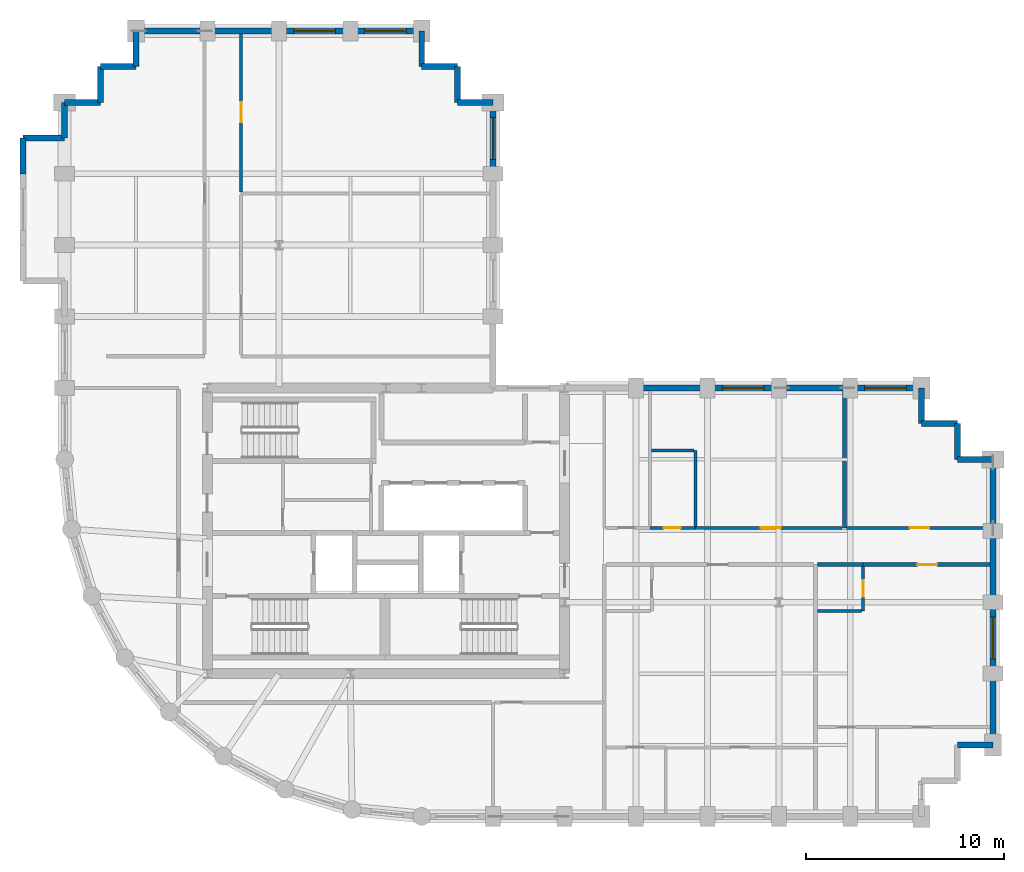
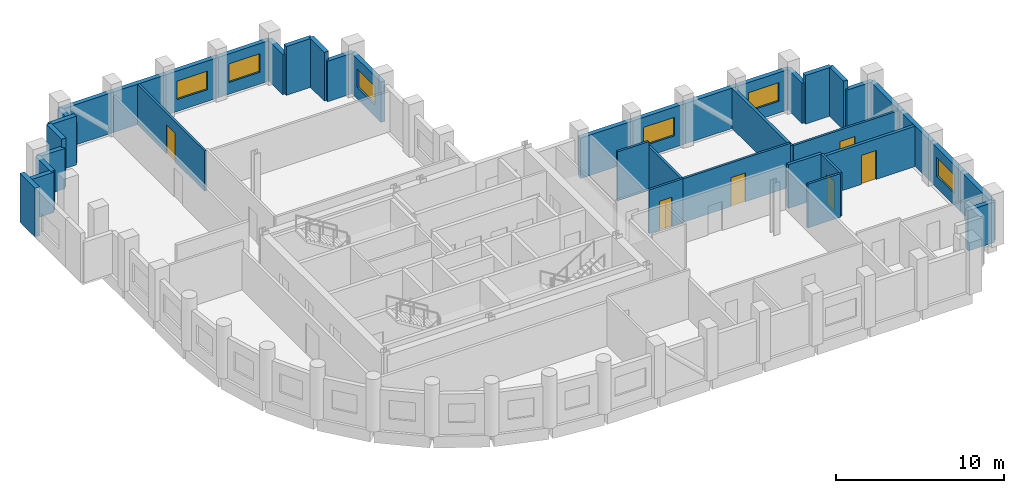
# One storey, part 6 of 8: 40 walls, 6 doors, 6 windows, 12 openings.
"""IFC4 building model written with IfcOpenShell, lengths in metres."""

from ifc_helpers import new_model, si_unit, direction, frame, frame_2d, origin, place, context, subcontext, project, spatial, rectangle, extrude, material, layer, layer_set, type_object, element, fill, save


model = new_model("IFC4")

# Units and contexts
model_context = context("Model", 3, precision=1e-05, world=origin(), true_north=direction((0.0, 1.0)))
body_context = subcontext(model_context, "Body", "Model", "MODEL_VIEW")
ifc_project = project(units=[si_unit("LENGTHUNIT", "METRE"), si_unit("AREAUNIT", "SQUARE_METRE"), si_unit("VOLUMEUNIT", "CUBIC_METRE"), si_unit("PLANEANGLEUNIT", "RADIAN"), si_unit("MASSUNIT", "GRAM", prefix="KILO")], contexts=[model_context])

# Site, building, storey
site_placement = place(None, origin())
site = spatial("IfcSite", under=ifc_project, at=site_placement, CompositionType="ELEMENT")
building_placement = place(site_placement, origin())
building = spatial("IfcBuilding", under=site, at=building_placement, Name="Solnavia Interchange Tower", CompositionType="ELEMENT")
storey_placement = place(building_placement, frame((0.0, 0.0, 161.800048828125)))
storey = spatial("IfcBuildingStorey", under=building, at=storey_placement, Name="L40", CompositionType="ELEMENT", Elevation=161.800048828125)

# Wall
ifc_material_1 = material(Name="Gypsum Acoustic Twin-Stud & Mineral Wool", Category="gypsum")
ifc_layer_1 = layer(ifc_material_1, 0.199951171875)
ifc_layer_set_1 = layer_set([ifc_layer_1], Name="Gypsum Acoustic Twin-Stud & Mineral Wool")
wall_type_1 = type_object("IfcWallType", Name="Wall-ApartmentParty-200", PredefinedType="PARTITIONING", material=ifc_layer_set_1)
wall_1_placement = place(storey_placement, frame((45.154052734375, 16.300048828125, 0.0), z_axis=(0.0, 0.0, 1.0), x_axis=(1.0, 0.0, 0.0)))
element("IfcWall", 1, at=wall_1_placement, inside=storey, type_object=wall_type_1, Name="PTW-L40-21 Interior partition wall", PredefinedType="PARTITIONING", context=body_context, shape_type="SweptSolid", body=[
    extrude(rectangle(XDim=2.2958984375, YDim=0.199951171875, at=frame_2d((1.14794921875, 0.0))), origin(), (0.0, 0.0, 1.0), 3.169921875),
])

# Wall, opening, door
wall_2_placement = place(storey_placement, frame((47.449951171875, 16.300048828125, 0.0), z_axis=(0.0, 0.0, 1.0), x_axis=(1.0, 0.0, 0.0)))
wall_2 = element("IfcWall", 2, at=wall_2_placement, inside=storey, type_object=wall_type_1, Name="PTW-L40-24 Interior partition wall", PredefinedType="PARTITIONING", context=body_context, shape_type="SweptSolid", body=[
    extrude(rectangle(XDim=6.39599609375, YDim=0.199951171875, at=frame_2d((3.197998046875, 0.0))), origin(), (0.0, 0.0, 1.0), 2.929931640625),
])
opening_1_placement = place(wall_2_placement, frame((2.735107421875, 0.0, 0.0)))
opening_1 = element("IfcOpeningElement", 3, at=opening_1_placement, cuts=wall_2, Name="Opening DR-06", PredefinedType="OPENING", context=body_context, shape_type="SweptSolid", body=[
    extrude(rectangle(XDim=1.0, YDim=2.10009765625, at=frame_2d((0.5, 1.050048828125))), frame((0.0, 0.10986328125, 0.0), z_axis=(0.0, -1.0, 0.0), x_axis=(1.0, 0.0, 0.0)), (0.0, 0.0, 1.0), 0.219970703125),
])
ifc_material_2 = material(Name="Engineered Timber Acoustic Fire Door", Category="wood")
door_type_1 = type_object("IfcDoorType", Name="Door-FlatEntry-1000x2100", OperationType="SINGLE_SWING_LEFT", PredefinedType="DOOR", material=ifc_material_2)
door_1_placement = place(opening_1_placement, origin())
door_1 = element("IfcDoor", 4, at=door_1_placement, inside=storey, type_object=door_type_1, Name="DR-L40-10 Interior room door", OperationType="SINGLE_SWING_LEFT", OverallHeight=2.10009765625, OverallWidth=1.0, PredefinedType="DOOR", context=body_context, shape_type="SweptSolid", body=[
    extrude(rectangle(XDim=1.0, YDim=2.10009765625, at=frame_2d((0.5, 1.050048828125))), frame((0.0, 0.02490234375, 0.0), z_axis=(0.0, -1.0, 0.0), x_axis=(1.0, 0.0, 0.0)), (0.0, 0.0, 1.0), 0.050048828125),
])
fill(opening_1, door_1)

# Walls
wall_3_placement = place(storey_placement, frame((46.5, 18.14990234375, 0.0), z_axis=(0.0, 0.0, 1.0), x_axis=(0.0, 1.0, 0.0)))
element("IfcWall", 5, at=wall_3_placement, inside=storey, type_object=wall_type_1, Name="PTW-L40-28 Interior partition wall", PredefinedType="PARTITIONING", context=body_context, shape_type="SweptSolid", body=[
    extrude(rectangle(XDim=6.89599609375, YDim=0.199951171875, at=frame_2d((3.447998046875, 0.0))), origin(), (0.0, 0.0, 1.0), 2.929931640625),
])
ifc_material_3 = material(Name="Concrete C40/50", Category="concrete")
ifc_layer_2 = layer(ifc_material_3, 0.300048828125)
ifc_layer_set_2 = layer_set([ifc_layer_2], Name="Concrete C40/50")
wall_type_2 = type_object("IfcWallType", Name="Wall-ExtSpandrel-300", PredefinedType="STANDARD", material=ifc_layer_set_2)
wall_4_placement = place(storey_placement, frame((54.0, 7.199951171875, 0.0), z_axis=(0.0, 0.0, 1.0), x_axis=(-1.0, 0.0, 0.0)))
element("IfcWall", 6, at=wall_4_placement, inside=storey, type_object=wall_type_2, Name="EXW-L40-11 Exterior precast spandrel wall", PredefinedType="STANDARD", context=body_context, shape_type="SweptSolid", body=[
    extrude(rectangle(XDim=1.800048828125, YDim=0.300048828125, at=frame_2d((0.89990234375, 0.0))), origin(), (0.0, 0.0, 1.0), 2.929931640625),
])
wall_5_placement = place(storey_placement, frame((54.0, 10.800048828125, 0.0), z_axis=(0.0, 0.0, 1.0), x_axis=(0.0, -1.0, 0.0)))
element("IfcWall", 7, at=wall_5_placement, inside=storey, type_object=wall_type_2, Name="EXW-L40-12 Exterior precast spandrel wall", PredefinedType="STANDARD", context=body_context, shape_type="SweptSolid", body=[
    extrude(rectangle(XDim=3.60009765625, YDim=0.300048828125, at=frame_2d((1.800048828125, 0.0))), origin(), (0.0, 0.0, 1.0), 2.929931640625),
])

# Wall, opening, window
wall_6_placement = place(storey_placement, frame((54.0, 14.39990234375, 0.0), z_axis=(0.0, 0.0, 1.0), x_axis=(0.0, -1.0, 0.0)))
wall_6 = element("IfcWall", 8, at=wall_6_placement, inside=storey, type_object=wall_type_2, Name="EXW-L40-13 Exterior precast spandrel wall", PredefinedType="STANDARD", context=body_context, shape_type="SweptSolid", body=[
    extrude(rectangle(XDim=3.599853515625, YDim=0.300048828125, at=frame_2d((1.7998046875, 0.0))), origin(), (0.0, 0.0, 1.0), 2.929931640625),
])
opening_2_placement = place(wall_6_placement, frame((0.75, 0.0, 0.85009765625)))
opening_2 = element("IfcOpeningElement", 9, at=opening_2_placement, cuts=wall_6, Name="Opening WIN-01", PredefinedType="OPENING", context=body_context, shape_type="SweptSolid", body=[
    extrude(rectangle(XDim=2.10009765625, YDim=1.35009765625, at=frame_2d((1.050048828125, 0.675048828125))), frame((0.0, 0.16015625, 0.0), z_axis=(0.0, -1.0, 0.0), x_axis=(1.0, 0.0, 0.0)), (0.0, 0.0, 1.0), 0.320068359375),
])
ifc_material_4 = material(Name="Thermal-Break Aluminium & Low-E Glass", Category="aluminium")
window_type = type_object("IfcWindowType", Name="Window-Ribbon-2100x1350", PartitioningType="SINGLE_PANEL", PredefinedType="WINDOW", material=ifc_material_4)
window_1_placement = place(opening_2_placement, origin())
window_1 = element("IfcWindow", 10, at=window_1_placement, inside=storey, type_object=window_type, Name="WIN-L40-13 Facade ribbon window", OverallHeight=1.35009765625, OverallWidth=2.10009765625, PartitioningType="SINGLE_PANEL", PredefinedType="WINDOW", context=body_context, shape_type="SweptSolid", body=[
    extrude(rectangle(XDim=2.10009765625, YDim=1.35009765625, at=frame_2d((1.050048828125, 0.675048828125))), frame((0.0, 0.030029296875, 0.0), z_axis=(0.0, -1.0, 0.0), x_axis=(1.0, 0.0, 0.0)), (0.0, 0.0, 1.0), 0.06005859375),
])
fill(opening_2, window_1)

# Walls
for number, where, z_axis, x_axis, name in (
    (11, (54.0, 18.0, 0.0), (0.0, 0.0, 1.0), (0.0, -1.0, 0.0), "EXW-L40-14 Exterior precast spandrel wall"),
    (12, (54.0, 21.60009765625, 0.0), (0.0, 0.0, 1.0), (0.0, -1.0, 0.0), "EXW-L40-15 Exterior precast spandrel wall"),
):
    element("IfcWall", number, at=place(storey_placement, frame(where, z_axis=z_axis, x_axis=x_axis)), inside=storey, type_object=wall_type_2, Name=name, PredefinedType="STANDARD", context=body_context, shape_type="SweptSolid", body=[
        extrude(rectangle(XDim=3.60009765625, YDim=0.300048828125, at=frame_2d((1.800048828125, 0.0))), origin(), (0.0, 0.0, 1.0), 2.929931640625),
    ])
wall_7_placement = place(storey_placement, frame((52.199951171875, 21.60009765625, 0.0), z_axis=(0.0, 0.0, 1.0), x_axis=(1.0, 0.0, 0.0)))
element("IfcWall", 13, at=wall_7_placement, inside=storey, type_object=wall_type_2, Name="EXW-L40-16 Exterior precast spandrel wall", PredefinedType="STANDARD", context=body_context, shape_type="SweptSolid", body=[
    extrude(rectangle(XDim=1.800048828125, YDim=0.300048828125, at=frame_2d((0.89990234375, 0.0))), origin(), (0.0, 0.0, 1.0), 2.929931640625),
])
wall_8_placement = place(storey_placement, frame((52.199951171875, 23.39990234375, 0.0), z_axis=(0.0, 0.0, 1.0), x_axis=(0.0, -1.0, 0.0)))
element("IfcWall", 14, at=wall_8_placement, inside=storey, type_object=wall_type_2, Name="EXW-L40-17 Exterior precast spandrel wall", PredefinedType="STANDARD", context=body_context, shape_type="SweptSolid", body=[
    extrude(rectangle(XDim=1.7998046875, YDim=0.300048828125, at=frame_2d((0.89990234375, 0.0))), origin(), (0.0, 0.0, 1.0), 3.534912109375),
])
wall_9_placement = place(storey_placement, frame((50.39990234375, 23.39990234375, 0.0), z_axis=(0.0, 0.0, 1.0), x_axis=(1.0, 0.0, 0.0)))
element("IfcWall", 15, at=wall_9_placement, inside=storey, type_object=wall_type_2, Name="EXW-L40-18 Exterior precast spandrel wall", PredefinedType="STANDARD", context=body_context, shape_type="SweptSolid", body=[
    extrude(rectangle(XDim=1.800048828125, YDim=0.300048828125, at=frame_2d((0.89990234375, 0.0))), origin(), (0.0, 0.0, 1.0), 3.534912109375),
])
wall_10_placement = place(storey_placement, frame((50.39990234375, 25.199951171875, 0.0), z_axis=(0.0, 0.0, 1.0), x_axis=(0.0, -1.0, 0.0)))
element("IfcWall", 16, at=wall_10_placement, inside=storey, type_object=wall_type_2, Name="EXW-L40-19 Exterior precast spandrel wall", PredefinedType="STANDARD", context=body_context, shape_type="SweptSolid", body=[
    extrude(rectangle(XDim=1.800048828125, YDim=0.300048828125, at=frame_2d((0.89990234375, 0.0))), origin(), (0.0, 0.0, 1.0), 2.929931640625),
])

# Wall, opening, window
wall_11_placement = place(storey_placement, frame((46.800048828125, 25.199951171875, 0.0), z_axis=(0.0, 0.0, 1.0), x_axis=(1.0, 0.0, 0.0)))
wall_11 = element("IfcWall", 17, at=wall_11_placement, inside=storey, type_object=wall_type_2, Name="EXW-L40-20 Exterior precast spandrel wall", PredefinedType="STANDARD", context=body_context, shape_type="SweptSolid", body=[
    extrude(rectangle(XDim=3.599853515625, YDim=0.300048828125, at=frame_2d((1.7998046875, 0.0))), origin(), (0.0, 0.0, 1.0), 2.929931640625),
])
opening_3_placement = place(wall_11_placement, frame((0.72509765625, 0.0, 0.85009765625)))
opening_3 = element("IfcOpeningElement", 18, at=opening_3_placement, cuts=wall_11, Name="Opening WIN-01", PredefinedType="OPENING", context=body_context, shape_type="SweptSolid", body=[
    extrude(rectangle(XDim=2.10009765625, YDim=1.35009765625, at=frame_2d((1.050048828125, 0.675048828125))), frame((0.0, 0.16015625, 0.0), z_axis=(0.0, -1.0, 0.0), x_axis=(1.0, 0.0, 0.0)), (0.0, 0.0, 1.0), 0.320068359375),
])
window_2_placement = place(opening_3_placement, origin())
window_2 = element("IfcWindow", 19, at=window_2_placement, inside=storey, type_object=window_type, Name="WIN-L40-20 Facade ribbon window", OverallHeight=1.35009765625, OverallWidth=2.10009765625, PartitioningType="SINGLE_PANEL", PredefinedType="WINDOW", context=body_context, shape_type="SweptSolid", body=[
    extrude(rectangle(XDim=2.10009765625, YDim=1.35009765625, at=frame_2d((1.050048828125, 0.675048828125))), frame((0.0, 0.030029296875, 0.0), z_axis=(0.0, -1.0, 0.0), x_axis=(1.0, 0.0, 0.0)), (0.0, 0.0, 1.0), 0.06005859375),
])
fill(opening_3, window_2)

# Wall
wall_12_placement = place(storey_placement, frame((43.199951171875, 25.199951171875, 0.0), z_axis=(0.0, 0.0, 1.0), x_axis=(1.0, 0.0, 0.0)))
element("IfcWall", 20, at=wall_12_placement, inside=storey, type_object=wall_type_2, Name="EXW-L40-21 Exterior precast spandrel wall", PredefinedType="STANDARD", context=body_context, shape_type="SweptSolid", body=[
    extrude(rectangle(XDim=3.60009765625, YDim=0.300048828125, at=frame_2d((1.800048828125, 0.0))), origin(), (0.0, 0.0, 1.0), 2.929931640625),
])

# Wall, opening, window
wall_13_placement = place(storey_placement, frame((39.60009765625, 25.199951171875, 0.0), z_axis=(0.0, 0.0, 1.0), x_axis=(1.0, 0.0, 0.0)))
wall_13 = element("IfcWall", 21, at=wall_13_placement, inside=storey, type_object=wall_type_2, Name="EXW-L40-22 Exterior precast spandrel wall", PredefinedType="STANDARD", context=body_context, shape_type="SweptSolid", body=[
    extrude(rectangle(XDim=3.599853515625, YDim=0.300048828125, at=frame_2d((1.7998046875, 0.0))), origin(), (0.0, 0.0, 1.0), 2.929931640625),
])
opening_4_placement = place(wall_13_placement, frame((0.75, 0.0, 0.85009765625)))
opening_4 = element("IfcOpeningElement", 22, at=opening_4_placement, cuts=wall_13, Name="Opening WIN-01", PredefinedType="OPENING", context=body_context, shape_type="SweptSolid", body=[
    extrude(rectangle(XDim=2.10009765625, YDim=1.35009765625, at=frame_2d((1.050048828125, 0.675048828125))), frame((0.0, 0.16015625, 0.0), z_axis=(0.0, -1.0, 0.0), x_axis=(1.0, 0.0, 0.0)), (0.0, 0.0, 1.0), 0.320068359375),
])
window_3_placement = place(opening_4_placement, origin())
window_3 = element("IfcWindow", 23, at=window_3_placement, inside=storey, type_object=window_type, Name="WIN-L40-22 Facade ribbon window", OverallHeight=1.35009765625, OverallWidth=2.10009765625, PartitioningType="SINGLE_PANEL", PredefinedType="WINDOW", context=body_context, shape_type="SweptSolid", body=[
    extrude(rectangle(XDim=2.10009765625, YDim=1.35009765625, at=frame_2d((1.050048828125, 0.675048828125))), frame((0.0, 0.030029296875, 0.0), z_axis=(0.0, -1.0, 0.0), x_axis=(1.0, 0.0, 0.0)), (0.0, 0.0, 1.0), 0.06005859375),
])
fill(opening_4, window_3)

# Wall
wall_14_placement = place(storey_placement, frame((36.0, 25.199951171875, 0.0), z_axis=(0.0, 0.0, 1.0), x_axis=(1.0, 0.0, 0.0)))
element("IfcWall", 24, at=wall_14_placement, inside=storey, type_object=wall_type_2, Name="EXW-L40-23 Exterior precast spandrel wall", PredefinedType="STANDARD", context=body_context, shape_type="SweptSolid", body=[
    extrude(rectangle(XDim=3.60009765625, YDim=0.300048828125, at=frame_2d((1.800048828125, 0.0))), origin(), (0.0, 0.0, 1.0), 2.929931640625),
])

# Wall, opening, window
wall_15_placement = place(storey_placement, frame((28.800048828125, 39.60009765625, 0.0), z_axis=(0.0, 0.0, 1.0), x_axis=(0.0, -1.0, 0.0)))
wall_15 = element("IfcWall", 25, at=wall_15_placement, inside=storey, type_object=wall_type_2, Name="EXW-L40-29 Exterior precast spandrel wall", PredefinedType="STANDARD", context=body_context, shape_type="SweptSolid", body=[
    extrude(rectangle(XDim=3.60009765625, YDim=0.300048828125, at=frame_2d((1.800048828125, 0.0))), origin(), (0.0, 0.0, 1.0), 2.929931640625),
])
opening_5_placement = place(wall_15_placement, frame((0.77490234375, 0.0, 0.85009765625)))
opening_5 = element("IfcOpeningElement", 26, at=opening_5_placement, cuts=wall_15, Name="Opening WIN-01", PredefinedType="OPENING", context=body_context, shape_type="SweptSolid", body=[
    extrude(rectangle(XDim=2.10009765625, YDim=1.35009765625, at=frame_2d((1.050048828125, 0.675048828125))), frame((0.0, 0.16015625, 0.0), z_axis=(0.0, -1.0, 0.0), x_axis=(1.0, 0.0, 0.0)), (0.0, 0.0, 1.0), 0.320068359375),
])
window_4_placement = place(opening_5_placement, origin())
window_4 = element("IfcWindow", 27, at=window_4_placement, inside=storey, type_object=window_type, Name="WIN-L40-29 Facade ribbon window", OverallHeight=1.35009765625, OverallWidth=2.10009765625, PartitioningType="SINGLE_PANEL", PredefinedType="WINDOW", context=body_context, shape_type="SweptSolid", body=[
    extrude(rectangle(XDim=2.10009765625, YDim=1.35009765625, at=frame_2d((1.050048828125, 0.675048828125))), frame((0.0, 0.030029296875, 0.0), z_axis=(0.0, -1.0, 0.0), x_axis=(1.0, 0.0, 0.0)), (0.0, 0.0, 1.0), 0.06005859375),
])
fill(opening_5, window_4)

# Walls
wall_16_placement = place(storey_placement, frame((27.0, 39.60009765625, 0.0), z_axis=(0.0, 0.0, 1.0), x_axis=(1.0, 0.0, 0.0)))
element("IfcWall", 28, at=wall_16_placement, inside=storey, type_object=wall_type_2, Name="EXW-L40-30 Exterior precast spandrel wall", PredefinedType="STANDARD", context=body_context, shape_type="SweptSolid", body=[
    extrude(rectangle(XDim=1.800048828125, YDim=0.300048828125, at=frame_2d((0.89990234375, 0.0))), origin(), (0.0, 0.0, 1.0), 2.929931640625),
])
wall_17_placement = place(storey_placement, frame((27.0, 39.60009765625, 0.0), z_axis=(0.0, 0.0, 1.0), x_axis=(0.0, 1.0, 0.0)))
element("IfcWall", 29, at=wall_17_placement, inside=storey, type_object=wall_type_2, Name="EXW-L40-31 Exterior precast spandrel wall", PredefinedType="STANDARD", context=body_context, shape_type="SweptSolid", body=[
    extrude(rectangle(XDim=1.7998046875, YDim=0.300048828125, at=frame_2d((0.89990234375, 0.0))), origin(), (0.0, 0.0, 1.0), 3.534912109375),
])
wall_18_placement = place(storey_placement, frame((25.199951171875, 41.39990234375, 0.0), z_axis=(0.0, 0.0, 1.0), x_axis=(1.0, 0.0, 0.0)))
element("IfcWall", 30, at=wall_18_placement, inside=storey, type_object=wall_type_2, Name="EXW-L40-32 Exterior precast spandrel wall", PredefinedType="STANDARD", context=body_context, shape_type="SweptSolid", body=[
    extrude(rectangle(XDim=1.800048828125, YDim=0.300048828125, at=frame_2d((0.89990234375, 0.0))), origin(), (0.0, 0.0, 1.0), 3.534912109375),
])
wall_19_placement = place(storey_placement, frame((25.199951171875, 41.39990234375, 0.0), z_axis=(0.0, 0.0, 1.0), x_axis=(0.0, 1.0, 0.0)))
element("IfcWall", 31, at=wall_19_placement, inside=storey, type_object=wall_type_2, Name="EXW-L40-33 Exterior precast spandrel wall", PredefinedType="STANDARD", context=body_context, shape_type="SweptSolid", body=[
    extrude(rectangle(XDim=1.800048828125, YDim=0.300048828125, at=frame_2d((0.89990234375, 0.0))), origin(), (0.0, 0.0, 1.0), 2.929931640625),
])

# Wall, opening, window
wall_20_placement = place(storey_placement, frame((21.60009765625, 43.199951171875, 0.0), z_axis=(0.0, 0.0, 1.0), x_axis=(1.0, 0.0, 0.0)))
wall_20 = element("IfcWall", 32, at=wall_20_placement, inside=storey, type_object=wall_type_2, Name="EXW-L40-34 Exterior precast spandrel wall", PredefinedType="STANDARD", context=body_context, shape_type="SweptSolid", body=[
    extrude(rectangle(XDim=3.599853515625, YDim=0.300048828125, at=frame_2d((1.7998046875, 0.0))), origin(), (0.0, 0.0, 1.0), 2.929931640625),
])
opening_6_placement = place(wall_20_placement, frame((0.72509765625, 0.0, 0.85009765625)))
opening_6 = element("IfcOpeningElement", 33, at=opening_6_placement, cuts=wall_20, Name="Opening WIN-01", PredefinedType="OPENING", context=body_context, shape_type="SweptSolid", body=[
    extrude(rectangle(XDim=2.10009765625, YDim=1.35009765625, at=frame_2d((1.050048828125, 0.675048828125))), frame((0.0, 0.16015625, 0.0), z_axis=(0.0, -1.0, 0.0), x_axis=(1.0, 0.0, 0.0)), (0.0, 0.0, 1.0), 0.320068359375),
])
window_5_placement = place(opening_6_placement, origin())
window_5 = element("IfcWindow", 34, at=window_5_placement, inside=storey, type_object=window_type, Name="WIN-L40-34 Facade ribbon window", OverallHeight=1.35009765625, OverallWidth=2.10009765625, PartitioningType="SINGLE_PANEL", PredefinedType="WINDOW", context=body_context, shape_type="SweptSolid", body=[
    extrude(rectangle(XDim=2.10009765625, YDim=1.35009765625, at=frame_2d((1.050048828125, 0.675048828125))), frame((0.0, 0.030029296875, 0.0), z_axis=(0.0, -1.0, 0.0), x_axis=(1.0, 0.0, 0.0)), (0.0, 0.0, 1.0), 0.06005859375),
])
fill(opening_6, window_5)

wall_21_placement = place(storey_placement, frame((18.0, 43.199951171875, 0.0), z_axis=(0.0, 0.0, 1.0), x_axis=(1.0, 0.0, 0.0)))
wall_21 = element("IfcWall", 35, at=wall_21_placement, inside=storey, type_object=wall_type_2, Name="EXW-L40-35 Exterior precast spandrel wall", PredefinedType="STANDARD", context=body_context, shape_type="SweptSolid", body=[
    extrude(rectangle(XDim=3.60009765625, YDim=0.300048828125, at=frame_2d((1.800048828125, 0.0))), origin(), (0.0, 0.0, 1.0), 2.929931640625),
])
opening_7_placement = place(wall_21_placement, frame((0.75, 0.0, 0.85009765625)))
opening_7 = element("IfcOpeningElement", 36, at=opening_7_placement, cuts=wall_21, Name="Opening WIN-01", PredefinedType="OPENING", context=body_context, shape_type="SweptSolid", body=[
    extrude(rectangle(XDim=2.10009765625, YDim=1.35009765625, at=frame_2d((1.050048828125, 0.675048828125))), frame((0.0, 0.16015625, 0.0), z_axis=(0.0, -1.0, 0.0), x_axis=(1.0, 0.0, 0.0)), (0.0, 0.0, 1.0), 0.320068359375),
])
window_6_placement = place(opening_7_placement, origin())
window_6 = element("IfcWindow", 37, at=window_6_placement, inside=storey, type_object=window_type, Name="WIN-L40-35 Facade ribbon window", OverallHeight=1.35009765625, OverallWidth=2.10009765625, PartitioningType="SINGLE_PANEL", PredefinedType="WINDOW", context=body_context, shape_type="SweptSolid", body=[
    extrude(rectangle(XDim=2.10009765625, YDim=1.35009765625, at=frame_2d((1.050048828125, 0.675048828125))), frame((0.0, 0.030029296875, 0.0), z_axis=(0.0, -1.0, 0.0), x_axis=(1.0, 0.0, 0.0)), (0.0, 0.0, 1.0), 0.06005859375),
])
fill(opening_7, window_6)

# Walls
wall_22_placement = place(storey_placement, frame((14.39990234375, 43.199951171875, 0.0), z_axis=(0.0, 0.0, 1.0), x_axis=(1.0, 0.0, 0.0)))
element("IfcWall", 38, at=wall_22_placement, inside=storey, type_object=wall_type_2, Name="EXW-L40-36 Exterior precast spandrel wall", PredefinedType="STANDARD", context=body_context, shape_type="SweptSolid", body=[
    extrude(rectangle(XDim=3.60009765625, YDim=0.300048828125, at=frame_2d((1.800048828125, 0.0))), origin(), (0.0, 0.0, 1.0), 2.929931640625),
])
wall_23_placement = place(storey_placement, frame((10.800048828125, 43.199951171875, 0.0), z_axis=(0.0, 0.0, 1.0), x_axis=(1.0, 0.0, 0.0)))
element("IfcWall", 39, at=wall_23_placement, inside=storey, type_object=wall_type_2, Name="EXW-L40-37 Exterior precast spandrel wall", PredefinedType="STANDARD", context=body_context, shape_type="SweptSolid", body=[
    extrude(rectangle(XDim=3.599853515625, YDim=0.300048828125, at=frame_2d((1.7998046875, 0.0))), origin(), (0.0, 0.0, 1.0), 2.929931640625),
])
wall_24_placement = place(storey_placement, frame((10.800048828125, 41.39990234375, 0.0), z_axis=(0.0, 0.0, 1.0), x_axis=(0.0, 1.0, 0.0)))
element("IfcWall", 40, at=wall_24_placement, inside=storey, type_object=wall_type_2, Name="EXW-L40-38 Exterior precast spandrel wall", PredefinedType="STANDARD", context=body_context, shape_type="SweptSolid", body=[
    extrude(rectangle(XDim=1.800048828125, YDim=0.300048828125, at=frame_2d((0.89990234375, 0.0))), origin(), (0.0, 0.0, 1.0), 2.929931640625),
])
wall_25_placement = place(storey_placement, frame((9.0, 41.39990234375, 0.0), z_axis=(0.0, 0.0, 1.0), x_axis=(1.0, 0.0, 0.0)))
element("IfcWall", 41, at=wall_25_placement, inside=storey, type_object=wall_type_2, Name="EXW-L40-39 Exterior precast spandrel wall", PredefinedType="STANDARD", context=body_context, shape_type="SweptSolid", body=[
    extrude(rectangle(XDim=1.800048828125, YDim=0.300048828125, at=frame_2d((0.89990234375, 0.0))), origin(), (0.0, 0.0, 1.0), 3.534912109375),
])
wall_26_placement = place(storey_placement, frame((9.0, 39.60009765625, 0.0), z_axis=(0.0, 0.0, 1.0), x_axis=(0.0, 1.0, 0.0)))
element("IfcWall", 42, at=wall_26_placement, inside=storey, type_object=wall_type_2, Name="EXW-L40-40 Exterior precast spandrel wall", PredefinedType="STANDARD", context=body_context, shape_type="SweptSolid", body=[
    extrude(rectangle(XDim=1.7998046875, YDim=0.300048828125, at=frame_2d((0.89990234375, 0.0))), origin(), (0.0, 0.0, 1.0), 3.534912109375),
])
for number, where, z_axis, x_axis, name in (
    (43, (7.199951171875, 39.60009765625, 0.0), (0.0, 0.0, 1.0), (1.0, 0.0, 0.0), "EXW-L40-41 Exterior precast spandrel wall"),
    (44, (7.199951171875, 37.800048828125, 0.0), (0.0, 0.0, 1.0), (0.0, 1.0, 0.0), "EXW-L40-42 Exterior precast spandrel wall"),
):
    element("IfcWall", number, at=place(storey_placement, frame(where, z_axis=z_axis, x_axis=x_axis)), inside=storey, type_object=wall_type_2, Name=name, PredefinedType="STANDARD", context=body_context, shape_type="SweptSolid", body=[
        extrude(rectangle(XDim=1.800048828125, YDim=0.300048828125, at=frame_2d((0.89990234375, 0.0))), origin(), (0.0, 0.0, 1.0), 2.929931640625),
    ])
wall_27_placement = place(storey_placement, frame((5.10009765625, 37.800048828125, 0.0), z_axis=(0.0, 0.0, 1.0), x_axis=(1.0, 0.0, 0.0)))
element("IfcWall", 45, at=wall_27_placement, inside=storey, type_object=wall_type_2, Name="EXW-L40-43 Exterior precast spandrel wall", PredefinedType="STANDARD", context=body_context, shape_type="SweptSolid", body=[
    extrude(rectangle(XDim=2.099853515625, YDim=0.300048828125, at=frame_2d((1.0498046875, 0.0))), origin(), (0.0, 0.0, 1.0), 2.929931640625),
])
wall_28_placement = place(storey_placement, frame((5.10009765625, 36.0, 0.0), z_axis=(0.0, 0.0, 1.0), x_axis=(0.0, 1.0, 0.0)))
element("IfcWall", 46, at=wall_28_placement, inside=storey, type_object=wall_type_2, Name="EXW-L40-44 Exterior precast spandrel wall", PredefinedType="STANDARD", context=body_context, shape_type="SweptSolid", body=[
    extrude(rectangle(XDim=1.800048828125, YDim=0.300048828125, at=frame_2d((0.89990234375, 0.0))), origin(), (0.0, 0.0, 1.0), 3.534912109375),
])

# Wall, opening, door
ifc_material_5 = material(Name="Gypsum Plasterboard & Steel Stud", Category="steel")
ifc_layer_3 = layer(ifc_material_5, 0.14990234375)
ifc_layer_set_3 = layer_set([ifc_layer_3], Name="Gypsum Plasterboard & Steel Stud")
wall_type_3 = type_object("IfcWallType", Name="Wall-Partition-150", PredefinedType="PARTITIONING", material=ifc_layer_set_3)
wall_29_placement = place(storey_placement, frame((39.0, 18.14990234375, 0.0), z_axis=(0.0, 0.0, 1.0), x_axis=(1.0, 0.0, 0.0)))
wall_29 = element("IfcWall", 47, at=wall_29_placement, inside=storey, type_object=wall_type_3, Name="PTW-L40-29 Interior partition wall", PredefinedType="PARTITIONING", context=body_context, shape_type="SweptSolid", body=[
    extrude(rectangle(XDim=7.39599609375, YDim=0.14990234375, at=frame_2d((3.697998046875, 0.0))), origin(), (0.0, 0.0, 1.0), 3.169921875),
])
opening_8_placement = place(wall_29_placement, frame((3.2900390625, 0.0, 0.0)))
opening_8 = element("IfcOpeningElement", 48, at=opening_8_placement, cuts=wall_29, Name="Opening DR-07", PredefinedType="OPENING", context=body_context, shape_type="SweptSolid", body=[
    extrude(rectangle(XDim=1.0, YDim=2.10009765625, at=frame_2d((0.5, 1.050048828125))), frame((0.0, 0.0849609375, 0.0), z_axis=(0.0, -1.0, 0.0), x_axis=(1.0, 0.0, 0.0)), (0.0, 0.0, 1.0), 0.169921875),
])
ifc_material_6 = material(Name="Timber & Acoustic Glazed Office Door", Category="wood")
door_type_2 = type_object("IfcDoorType", Name="Door-Office-1000x2100", OperationType="SINGLE_SWING_RIGHT", PredefinedType="DOOR", material=ifc_material_6)
door_2_placement = place(opening_8_placement, origin())
door_2 = element("IfcDoor", 49, at=door_2_placement, inside=storey, type_object=door_type_2, Name="DR-L40-13 Interior room door", OperationType="SINGLE_SWING_RIGHT", OverallHeight=2.10009765625, OverallWidth=1.0, PredefinedType="DOOR", context=body_context, shape_type="SweptSolid", body=[
    extrude(rectangle(XDim=1.0, YDim=2.10009765625, at=frame_2d((0.5, 1.050048828125))), frame((0.0, 0.02490234375, 0.0), z_axis=(0.0, -1.0, 0.0), x_axis=(1.0, 0.0, 0.0)), (0.0, 0.0, 1.0), 0.050048828125),
])
fill(opening_8, door_2)

wall_30_placement = place(storey_placement, frame((46.60400390625, 18.14990234375, 0.0), z_axis=(0.0, 0.0, 1.0), x_axis=(1.0, 0.0, 0.0)))
wall_30 = element("IfcWall", 50, at=wall_30_placement, inside=storey, type_object=wall_type_3, Name="PTW-L40-30 Interior partition wall", PredefinedType="PARTITIONING", context=body_context, shape_type="SweptSolid", body=[
    extrude(rectangle(XDim=7.241943359375, YDim=0.14990234375, at=frame_2d((3.62109375, 0.0))), origin(), (0.0, 0.0, 1.0), 2.929931640625),
])
opening_9_placement = place(wall_30_placement, frame((3.18603515625, 0.0, 0.0)))
opening_9 = element("IfcOpeningElement", 51, at=opening_9_placement, cuts=wall_30, Name="Opening DR-07", PredefinedType="OPENING", context=body_context, shape_type="SweptSolid", body=[
    extrude(rectangle(XDim=1.0, YDim=2.10009765625, at=frame_2d((0.5, 1.050048828125))), frame((0.0, 0.0849609375, 0.0), z_axis=(0.0, -1.0, 0.0), x_axis=(1.0, 0.0, 0.0)), (0.0, 0.0, 1.0), 0.169921875),
])
door_3_placement = place(opening_9_placement, origin())
door_3 = element("IfcDoor", 52, at=door_3_placement, inside=storey, type_object=door_type_2, Name="DR-L40-14 Interior room door", OperationType="SINGLE_SWING_RIGHT", OverallHeight=2.10009765625, OverallWidth=1.0, PredefinedType="DOOR", context=body_context, shape_type="SweptSolid", body=[
    extrude(rectangle(XDim=1.0, YDim=2.10009765625, at=frame_2d((0.5, 1.050048828125))), frame((0.0, 0.02490234375, 0.0), z_axis=(0.0, -1.0, 0.0), x_axis=(1.0, 0.0, 0.0)), (0.0, 0.0, 1.0), 0.050048828125),
])
fill(opening_9, door_3)

wall_31_placement = place(storey_placement, frame((16.10009765625, 35.0791015625, 0.0), z_axis=(0.0, 0.0, 1.0), x_axis=(0.0, 1.0, 0.0)))
wall_31 = element("IfcWall", 53, at=wall_31_placement, inside=storey, type_object=wall_type_3, Name="PTW-L40-36 Interior partition wall", PredefinedType="PARTITIONING", context=body_context, shape_type="SweptSolid", body=[
    extrude(rectangle(XDim=7.966796875, YDim=0.14990234375, at=frame_2d((3.9833984375, 0.0))), origin(), (0.0, 0.0, 1.0), 2.929931640625),
])
opening_10_placement = place(wall_31_placement, frame((3.52099609375, 0.0, 0.0)))
opening_10 = element("IfcOpeningElement", 54, at=opening_10_placement, cuts=wall_31, Name="Opening DR-07", PredefinedType="OPENING", context=body_context, shape_type="SweptSolid", body=[
    extrude(rectangle(XDim=1.0, YDim=2.10009765625, at=frame_2d((0.5, 1.050048828125))), frame((0.0, 0.0849609375, 0.0), z_axis=(0.0, -1.0, 0.0), x_axis=(1.0, 0.0, 0.0)), (0.0, 0.0, 1.0), 0.169921875),
])
door_4_placement = place(opening_10_placement, origin())
door_4 = element("IfcDoor", 55, at=door_4_placement, inside=storey, type_object=door_type_2, Name="DR-L40-17 Interior room door", OperationType="SINGLE_SWING_LEFT", OverallHeight=2.10009765625, OverallWidth=1.0, PredefinedType="DOOR", context=body_context, shape_type="SweptSolid", body=[
    extrude(rectangle(XDim=1.0, YDim=2.10009765625, at=frame_2d((0.5, 1.050048828125))), frame((0.0, 0.02490234375, 0.0), z_axis=(0.0, -1.0, 0.0), x_axis=(1.0, 0.0, 0.0)), (0.0, 0.0, 1.0), 0.050048828125),
])
fill(opening_10, door_4)

ifc_material_7 = material(Name="Moisture-Resistant Gypsum & Steel Stud", Category="steel")
ifc_layer_4 = layer(ifc_material_7, 0.14990234375)
ifc_layer_set_4 = layer_set([ifc_layer_4], Name="Moisture-Resistant Gypsum & Steel Stud")
wall_type_4 = type_object("IfcWallType", Name="Wall-WetRoom-150", PredefinedType="PARTITIONING", material=ifc_layer_set_4)
wall_32_placement = place(storey_placement, frame((36.699951171875, 18.14990234375, 0.0), z_axis=(0.0, 0.0, 1.0), x_axis=(1.0, 0.0, 0.0)))
wall_32 = element("IfcWall", 56, at=wall_32_placement, inside=storey, type_object=wall_type_4, Name="PTW-L40-04 Interior partition wall", PredefinedType="PARTITIONING", context=body_context, shape_type="SweptSolid", body=[
    extrude(rectangle(XDim=2.300048828125, YDim=0.14990234375, at=frame_2d((1.14990234375, 0.0))), origin(), (0.0, 0.0, 1.0), 3.169921875),
])
opening_11_placement = place(wall_32_placement, frame((0.697021484375, 0.0, 0.0)))
opening_11 = element("IfcOpeningElement", 57, at=opening_11_placement, cuts=wall_32, Name="Opening DR-10", PredefinedType="OPENING", context=body_context, shape_type="SweptSolid", body=[
    extrude(rectangle(XDim=0.85009765625, YDim=2.10009765625, at=frame_2d((0.425048828125, 1.050048828125))), frame((0.0, 0.0849609375, 0.0), z_axis=(0.0, -1.0, 0.0), x_axis=(1.0, 0.0, 0.0)), (0.0, 0.0, 1.0), 0.169921875),
])
ifc_material_8 = material(Name="Moisture-Resistant Timber Door", Category="wood")
door_type_3 = type_object("IfcDoorType", Name="Door-Bathroom-850x2100", OperationType="SINGLE_SWING_RIGHT", PredefinedType="DOOR", material=ifc_material_8)
door_5_placement = place(opening_11_placement, origin())
door_5 = element("IfcDoor", 58, at=door_5_placement, inside=storey, type_object=door_type_3, Name="DR-L40-02 Interior room door", OperationType="SINGLE_SWING_RIGHT", OverallHeight=2.10009765625, OverallWidth=0.85009765625, PredefinedType="DOOR", context=body_context, shape_type="SweptSolid", body=[
    extrude(rectangle(XDim=0.85009765625, YDim=2.10009765625, at=frame_2d((0.425048828125, 1.050048828125))), frame((0.0, 0.02490234375, 0.0), z_axis=(0.0, -1.0, 0.0), x_axis=(1.0, 0.0, 0.0)), (0.0, 0.0, 1.0), 0.050048828125),
])
fill(opening_11, door_5)

# Walls
wall_33_placement = place(storey_placement, frame((39.0, 18.22900390625, 0.0), z_axis=(0.0, 0.0, 1.0), x_axis=(0.0, 1.0, 0.0)))
element("IfcWall", 59, at=wall_33_placement, inside=storey, type_object=wall_type_4, Name="PTW-L40-05 Interior partition wall", PredefinedType="PARTITIONING", context=body_context, shape_type="SweptSolid", body=[
    extrude(rectangle(XDim=3.821044921875, YDim=0.14990234375, at=frame_2d((1.91064453125, 0.0))), origin(), (0.0, 0.0, 1.0), 3.169921875),
])
wall_34_placement = place(storey_placement, frame((36.779052734375, 22.050048828125, 0.0), z_axis=(0.0, 0.0, 1.0), x_axis=(1.0, 0.0, 0.0)))
element("IfcWall", 60, at=wall_34_placement, inside=storey, type_object=wall_type_4, Name="PTW-L40-06 Interior partition wall", PredefinedType="PARTITIONING", context=body_context, shape_type="SweptSolid", body=[
    extrude(rectangle(XDim=2.141845703125, YDim=0.14990234375, at=frame_2d((1.07080078125, 0.0))), origin(), (0.0, 0.0, 1.0), 3.534912109375),
])

# Wall, opening, door
wall_35_placement = place(storey_placement, frame((47.449951171875, 13.949951171875, 0.0), z_axis=(0.0, 0.0, 1.0), x_axis=(0.0, 1.0, 0.0)))
wall_35 = element("IfcWall", 61, at=wall_35_placement, inside=storey, type_object=wall_type_4, Name="PTW-L40-22 Interior partition wall", PredefinedType="PARTITIONING", context=body_context, shape_type="SweptSolid", body=[
    extrude(rectangle(XDim=2.24609375, YDim=0.14990234375, at=frame_2d((1.123046875, 0.0))), origin(), (0.0, 0.0, 1.0), 3.169921875),
])
opening_12_placement = place(wall_35_placement, frame((0.719970703125, 0.0, 0.0)))
opening_12 = element("IfcOpeningElement", 62, at=opening_12_placement, cuts=wall_35, Name="Opening DR-10", PredefinedType="OPENING", context=body_context, shape_type="SweptSolid", body=[
    extrude(rectangle(XDim=0.85009765625, YDim=2.10009765625, at=frame_2d((0.425048828125, 1.050048828125))), frame((0.0, 0.0849609375, 0.0), z_axis=(0.0, -1.0, 0.0), x_axis=(1.0, 0.0, 0.0)), (0.0, 0.0, 1.0), 0.169921875),
])
door_6_placement = place(opening_12_placement, origin())
door_6 = element("IfcDoor", 63, at=door_6_placement, inside=storey, type_object=door_type_3, Name="DR-L40-09 Interior room door", OperationType="SINGLE_SWING_RIGHT", OverallHeight=2.10009765625, OverallWidth=0.85009765625, PredefinedType="DOOR", context=body_context, shape_type="SweptSolid", body=[
    extrude(rectangle(XDim=0.85009765625, YDim=2.10009765625, at=frame_2d((0.425048828125, 1.050048828125))), frame((0.0, 0.02490234375, 0.0), z_axis=(0.0, -1.0, 0.0), x_axis=(1.0, 0.0, 0.0)), (0.0, 0.0, 1.0), 0.050048828125),
])
fill(opening_12, door_6)

# Wall
wall_36_placement = place(storey_placement, frame((45.154052734375, 13.949951171875, 0.0), z_axis=(0.0, 0.0, 1.0), x_axis=(1.0, 0.0, 0.0)))
element("IfcWall", 64, at=wall_36_placement, inside=storey, type_object=wall_type_4, Name="PTW-L40-23 Interior partition wall", PredefinedType="PARTITIONING", context=body_context, shape_type="SweptSolid", body=[
    extrude(rectangle(XDim=2.217041015625, YDim=0.14990234375, at=frame_2d((1.1083984375, 0.0))), origin(), (0.0, 0.0, 1.0), 3.169921875),
])

save(model, "model.ifc")
